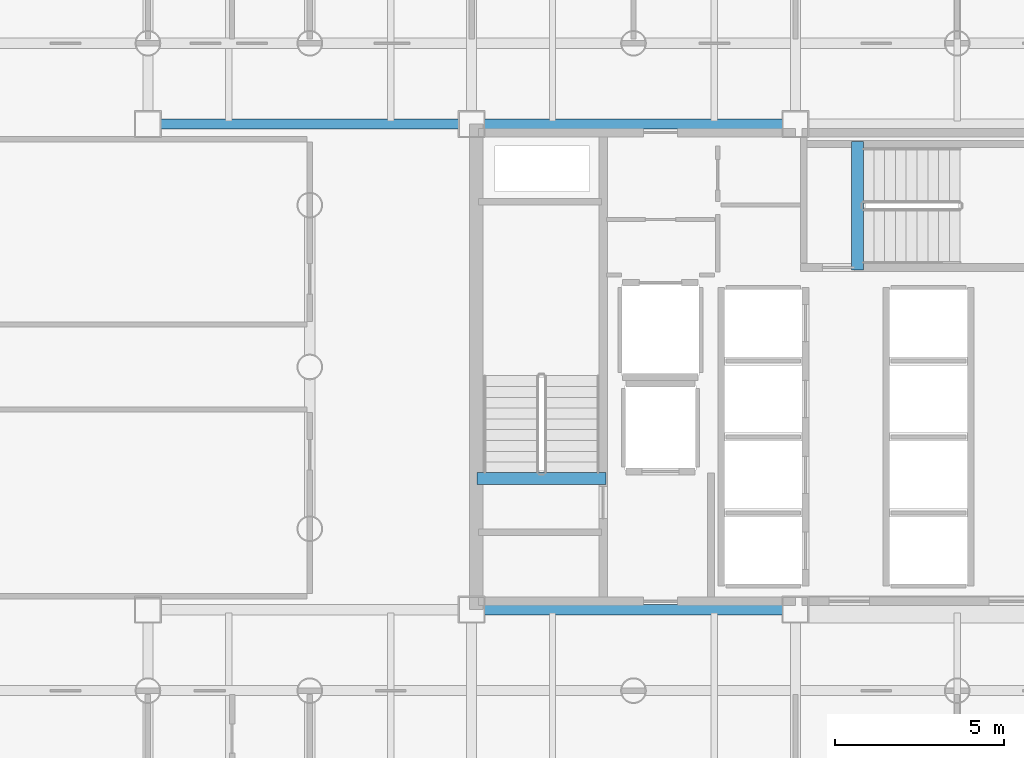
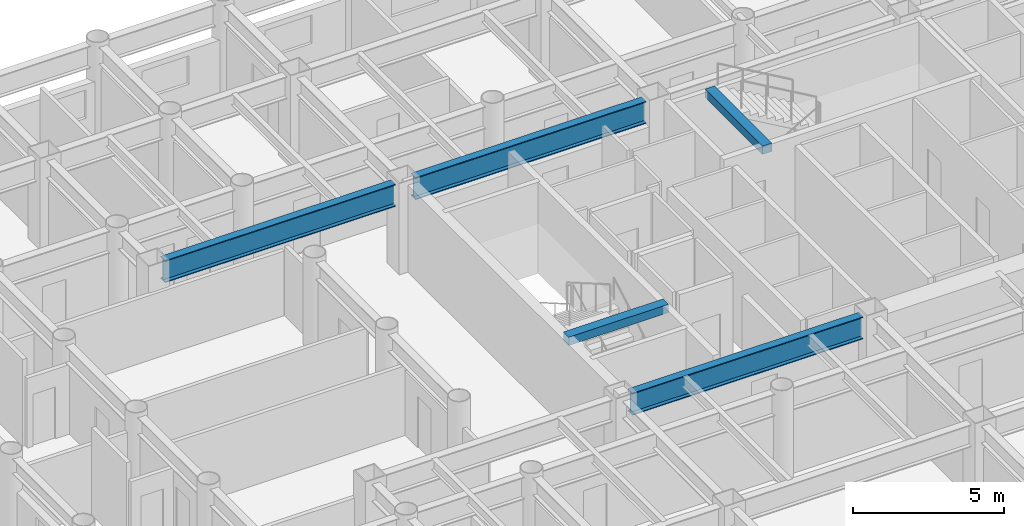
# One storey, part 5 of 21: 5 beams.
"""IFC4 building model written with IfcOpenShell, lengths in metres."""

import ifcopenshell
import ifcopenshell.guid

model = None  # the IFC model being written
_history = None  # IfcOwnerHistory: only IFC2X3 demands one
_inside = {}  # id of a spatial element -> (the spatial element, [elements in it])
_under = {}  # id of a project, library or spatial element -> (it, [spatial elements below it])
_declared = {}  # id of a project -> (the project, [libraries it declares])
_typed = {}  # id of a type object -> (the type object, [elements of that type])
_made_of = {}  # id of a material, layer set ... -> (it, [elements and type objects made of it])


def new_model(schema):
    """Start an empty IFC model of exactly this schema.

    Asked for "IFC4X3", IfcOpenShell would pick the latest addendum, in which some entities
    have other attributes; the version numbers below select the first issue.
    IFC2X3 requires an IfcOwnerHistory on every rooted entity: one is made here for all.
    """
    global model, _history
    if schema == "IFC4X3":
        model = ifcopenshell.file(schema_version=(4, 3, 0, 0))
    else:
        model = ifcopenshell.file(schema=schema)
    _inside.clear()
    _under.clear()
    _declared.clear()
    _typed.clear()
    _made_of.clear()
    _history = None
    if model.schema == "IFC2X3":
        org = make("IfcOrganization", Name="unknown")
        user = make(
            "IfcPersonAndOrganization",
            ThePerson=make("IfcPerson", FamilyName="unknown"),
            TheOrganization=org,
        )
        app = make(
            "IfcApplication",
            ApplicationDeveloper=org,
            Version="unknown",
            ApplicationFullName="unknown",
            ApplicationIdentifier="unknown",
        )
        _history = make(
            "IfcOwnerHistory",
            OwningUser=user,
            OwningApplication=app,
            ChangeAction="ADDED",
            CreationDate=0,
        )
    return model


def make(cls, **values):
    """One entity of the class cls with the attributes given. An attribute that is None is left unset."""
    return model.create_entity(
        cls, **{name: value for name, value in values.items() if value is not None}
    )


def rooted(cls, **values):
    """An entity with a GlobalId (a new one), such as an element, a storey or a relation."""
    return make(cls, GlobalId=ifcopenshell.guid.new(), OwnerHistory=_history, **values)


def si_unit(unit_type, name, prefix=None):
    """IfcSIUnit, for example si_unit("LENGTHUNIT", "METRE", prefix="MILLI")."""
    return make("IfcSIUnit", UnitType=unit_type, Prefix=prefix, Name=name)


def assignment(units):
    """IfcUnitAssignment: the units of a project."""
    return None if units is None else make("IfcUnitAssignment", Units=units)


def point(xyz):
    """IfcCartesianPoint."""
    return None if xyz is None else make("IfcCartesianPoint", Coordinates=xyz)


def direction(xyz):
    """IfcDirection."""
    return None if xyz is None else make("IfcDirection", DirectionRatios=xyz)


def frame(location, z_axis=None, x_axis=None):
    """IfcAxis2Placement3D, a coordinate frame: its origin and axes. An axis left out is left unset."""
    return make(
        "IfcAxis2Placement3D",
        Location=point(location),
        Axis=direction(z_axis),
        RefDirection=direction(x_axis),
    )


def frame_2d(location, x_axis=None):
    """IfcAxis2Placement2D, a coordinate frame in the plane: its origin and x axis."""
    return make(
        "IfcAxis2Placement2D", Location=point(location), RefDirection=direction(x_axis)
    )


def origin():
    """The frame at (0, 0, 0) with its axes left unset."""
    return frame((0.0, 0.0, 0.0))


def origin_2d():
    """The frame at (0, 0) in the plane with its x axis left unset."""
    return frame_2d((0.0, 0.0))


def place(relative_to, where):
    """IfcLocalPlacement: puts the frame where relative to a parent placement (None: the world)."""
    return make(
        "IfcLocalPlacement", PlacementRelTo=relative_to, RelativePlacement=where
    )


def context(
    kind, dimensions, precision=None, world=None, true_north=None, identifier=None
):
    """IfcGeometricRepresentationContext, for example the 3D "Model" context."""
    return make(
        "IfcGeometricRepresentationContext",
        ContextIdentifier=identifier,
        ContextType=kind,
        CoordinateSpaceDimension=dimensions,
        Precision=precision,
        WorldCoordinateSystem=world,
        TrueNorth=true_north,
    )


def subcontext(parent, identifier, kind, view, scale=None):
    """IfcGeometricRepresentationSubContext, for example "Body" below "Model"."""
    return make(
        "IfcGeometricRepresentationSubContext",
        ContextIdentifier=identifier,
        ContextType=kind,
        ParentContext=parent,
        TargetScale=scale,
        TargetView=view,
    )


def project(units=None, contexts=None):
    """IfcProject with its units and contexts."""
    return rooted(
        "IfcProject",
        Name="project",
        RepresentationContexts=contexts,
        UnitsInContext=assignment(units),
    )


def spatial(cls, under=None, at=None, **own):
    """A site, building, storey or space (cls), placed at a placement, below another one or the project."""
    s = rooted(cls, ObjectPlacement=at, **own)
    if under is not None:
        _under.setdefault(under.id(), (under, []))[1].append(s)
    return s


def profile(cls, at=None, kind="AREA", **sizes):
    """A parametric profile (cls). Its sizes go by their IFC names, for example OverallWidth=200.0."""
    return make(cls, ProfileType=kind, Position=at, **sizes)


def rectangle(**sizes):
    """IfcRectangleProfileDef."""
    return profile("IfcRectangleProfileDef", **sizes)


def i_section(**sizes):
    """IfcIShapeProfileDef."""
    return profile("IfcIShapeProfileDef", **sizes)


def extrude(swept, where, along, depth):
    """IfcExtrudedAreaSolid: the profile swept, set in the frame where, extruded along a direction by depth."""
    return make(
        "IfcExtrudedAreaSolid",
        SweptArea=swept,
        Position=where,
        ExtrudedDirection=direction(along),
        Depth=depth,
    )


def shape(context_of_items, identifier, shape_type, items):
    """IfcShapeRepresentation: the items that make up one representation, for example the "Body"."""
    return make(
        "IfcShapeRepresentation",
        ContextOfItems=context_of_items,
        RepresentationIdentifier=identifier,
        RepresentationType=shape_type,
        Items=items,
    )


def material(Name=None, Category=None):
    """IfcMaterial."""
    return make("IfcMaterial", Name=Name, Category=Category)


def material_profile(
    of_material, cross_section, Name=None, Category=None, Priority=None
):
    """IfcMaterialProfile: a cross section and its material."""
    return make(
        "IfcMaterialProfile",
        Name=Name,
        Material=of_material,
        Profile=cross_section,
        Priority=Priority,
        Category=Category,
    )


def profile_set(profiles, Name=None, composite=None):
    """IfcMaterialProfileSet."""
    return make(
        "IfcMaterialProfileSet",
        Name=Name,
        MaterialProfiles=profiles,
        CompositeProfile=composite,
    )


def made_of(thing, what):
    """Note that an element or type object is made of a material, layer set ...; save() writes the relation."""
    if what is not None:
        _made_of.setdefault(what.id(), (what, []))[1].append(thing)
    return thing


def type_object(cls, material=None, **own):
    """A type object (cls), such as IfcWallType, which elements share."""
    return made_of(rooted(cls, **own), material)


def element(
    cls,
    number,
    at=None,
    inside=None,
    cuts=None,
    type_object=None,
    material=None,
    context=None,
    identifier="Body",
    shape_type=None,
    held_by="IfcProductDefinitionShape",
    body=None,
    shapes=None,
    **own,
):
    """One element of the class cls, such as IfcWall. Its Tag is "e" and its number.

    at: its placement. inside: the storey or other place that contains it. cuts: it is an
    opening in that element (IfcRelVoidsElement). A single representation is given by context,
    identifier, shape_type and body (its items); several are given by shapes. held_by: the class
    of the entity that holds the representations. save() writes the other relations.
    """
    e = rooted(cls, Tag="e%d" % number, ObjectPlacement=at, **own)
    if body is not None:
        shapes = [shape(context, identifier, shape_type, body)]
    if shapes is not None:
        e.Representation = make(held_by, Representations=shapes)
    if inside is not None:
        _inside.setdefault(inside.id(), (inside, []))[1].append(e)
    if cuts is not None:
        rooted(
            "IfcRelVoidsElement", RelatingBuildingElement=cuts, RelatedOpeningElement=e
        )
    if type_object is not None:
        _typed.setdefault(type_object.id(), (type_object, []))[1].append(e)
    return made_of(e, material)


def aggregate(whole, parts):
    """IfcRelAggregates: a whole, such as a stair, and the parts it consists of."""
    return rooted("IfcRelAggregates", RelatingObject=whole, RelatedObjects=parts)


def save(model, path):
    """Write the relations noted so far, then the file.

    IfcRelAggregates (storeys below a building ...), IfcRelContainedInSpatialStructure (elements
    in a storey), IfcRelDefinesByType, IfcRelAssociatesMaterial and IfcRelDeclares: one each for
    every whole, place, type object, material and project.
    """
    for whole, parts in _under.values():
        aggregate(whole, parts)
    for where, things in _inside.values():
        rooted(
            "IfcRelContainedInSpatialStructure",
            RelatedElements=things,
            RelatingStructure=where,
        )
    for kind, things in _typed.values():
        rooted("IfcRelDefinesByType", RelatedObjects=things, RelatingType=kind)
    for what, things in _made_of.values():
        rooted("IfcRelAssociatesMaterial", RelatedObjects=things, RelatingMaterial=what)
    for by, libraries in _declared.values():
        rooted("IfcRelDeclares", RelatingContext=by, RelatedDefinitions=libraries)
    model.write(path)


model = new_model("IFC4")

# Units and contexts
model_context = context("Model", 3, precision=1e-05, world=origin(), true_north=direction((0.0, 1.0)))
body_context = subcontext(model_context, "Body", "Model", "MODEL_VIEW")
ifc_project = project(units=[si_unit("LENGTHUNIT", "METRE"), si_unit("AREAUNIT", "SQUARE_METRE"), si_unit("VOLUMEUNIT", "CUBIC_METRE"), si_unit("PLANEANGLEUNIT", "RADIAN"), si_unit("MASSUNIT", "GRAM", prefix="KILO")], contexts=[model_context])

# Site, building, storey
site_placement = place(None, origin())
site = spatial("IfcSite", under=ifc_project, at=site_placement, CompositionType="ELEMENT")
building_placement = place(site_placement, origin())
building = spatial("IfcBuilding", under=site, at=building_placement, Name="Kallvorn Hotel Tower", CompositionType="ELEMENT")
storey_placement = place(building_placement, frame((0.0, 0.0, 52.199951171875)))
storey = spatial("IfcBuildingStorey", under=building, at=storey_placement, Name="L11", CompositionType="ELEMENT", Elevation=52.199951171875)

# Beams
ifc_material_1 = material(Name="Structural steel S355JR", Category="steel")
ifc_material_profile_1 = material_profile(ifc_material_1, i_section(OverallWidth=0.300048828125, OverallDepth=0.89990234375, WebThickness=0.0185546875, FlangeThickness=0.034912109375, at=origin_2d()), Name="HE 900 B")
ifc_profile_set_1 = profile_set([ifc_material_profile_1], Name="Structural steel S355JR")
beam_type_1 = type_object("IfcBeamType", Name="BM_HE900B", PredefinedType="BEAM", material=ifc_profile_set_1)
beam_1_placement = place(storey_placement, frame((-14.02490234375, -7.199951171875, 3.070068359375), z_axis=(1.0, 0.0, 0.0), x_axis=(0.0, 1.0, 0.0)))
element("IfcBeam", 1, at=beam_1_placement, inside=storey, type_object=beam_type_1, Name="L12 Primary X-Girder 34", PredefinedType="BEAM", context=body_context, shape_type="SweptSolid", body=[
    extrude(i_section(OverallWidth=0.300048828125, OverallDepth=0.89990234375, WebThickness=0.0185546875, FlangeThickness=0.034912109375, at=origin_2d()), origin(), (0.0, 0.0, 1.0), 8.849853515625),
])
beam_2_placement = place(storey_placement, frame((-23.625, 7.199951171875, 3.070068359375), z_axis=(1.0, 0.0, 0.0), x_axis=(0.0, 1.0, 0.0)))
element("IfcBeam", 2, at=beam_2_placement, inside=storey, type_object=beam_type_1, Name="L12 Primary X-Girder 37", PredefinedType="BEAM", context=body_context, shape_type="SweptSolid", body=[
    extrude(i_section(OverallWidth=0.300048828125, OverallDepth=0.89990234375, WebThickness=0.0185546875, FlangeThickness=0.034912109375, at=origin_2d()), origin(), (0.0, 0.0, 1.0), 8.85009765625),
])
beam_3_placement = place(storey_placement, frame((-14.02490234375, 7.199951171875, 3.070068359375), z_axis=(1.0, 0.0, 0.0), x_axis=(0.0, 1.0, 0.0)))
element("IfcBeam", 3, at=beam_3_placement, inside=storey, type_object=beam_type_1, Name="L12 Primary X-Girder 38", PredefinedType="BEAM", context=body_context, shape_type="SweptSolid", body=[
    extrude(i_section(OverallWidth=0.300048828125, OverallDepth=0.89990234375, WebThickness=0.0185546875, FlangeThickness=0.034912109375, at=origin_2d()), origin(), (0.0, 0.0, 1.0), 8.849853515625),
])
ifc_material_2 = material(Name="Concrete C50/60", Category="concrete")
ifc_material_profile_2 = material_profile(ifc_material_2, rectangle(XDim=0.360107421875, YDim=0.340087890625, at=origin_2d()), Name="RC 360x340")
ifc_profile_set_2 = profile_set([ifc_material_profile_2], Name="Concrete C50/60")
beam_type_2 = type_object("IfcBeamType", Name="BM_RC_400x360", PredefinedType="BEAM", material=ifc_profile_set_2)
beam_4_placement = place(storey_placement, frame((-10.419921875, -3.31005859375, 3.35009765625), z_axis=(-1.0, 0.0, 0.0), x_axis=(0.0, -1.0, 0.0)))
element("IfcBeam", 4, at=beam_4_placement, inside=storey, type_object=beam_type_2, Name="L12 Stair ST1 Arrival Trimmer Beam", PredefinedType="BEAM", context=body_context, shape_type="SweptSolid", body=[
    extrude(rectangle(XDim=0.360107421875, YDim=0.340087890625, at=origin_2d()), origin(), (0.0, 0.0, 1.0), 3.820068359375),
])
beam_5_placement = place(storey_placement, frame((-2.9599609375, 2.8701171875, 3.35009765625), z_axis=(0.0, 1.0, 0.0), x_axis=(-1.0, 0.0, 0.0)))
element("IfcBeam", 5, at=beam_5_placement, inside=storey, type_object=beam_type_2, Name="L12 Stair ST3 Arrival Trimmer Beam", PredefinedType="BEAM", context=body_context, shape_type="SweptSolid", body=[
    extrude(rectangle(XDim=0.360107421875, YDim=0.340087890625, at=origin_2d()), origin(), (0.0, 0.0, 1.0), 3.81982421875),
])

save(model, "model.ifc")
